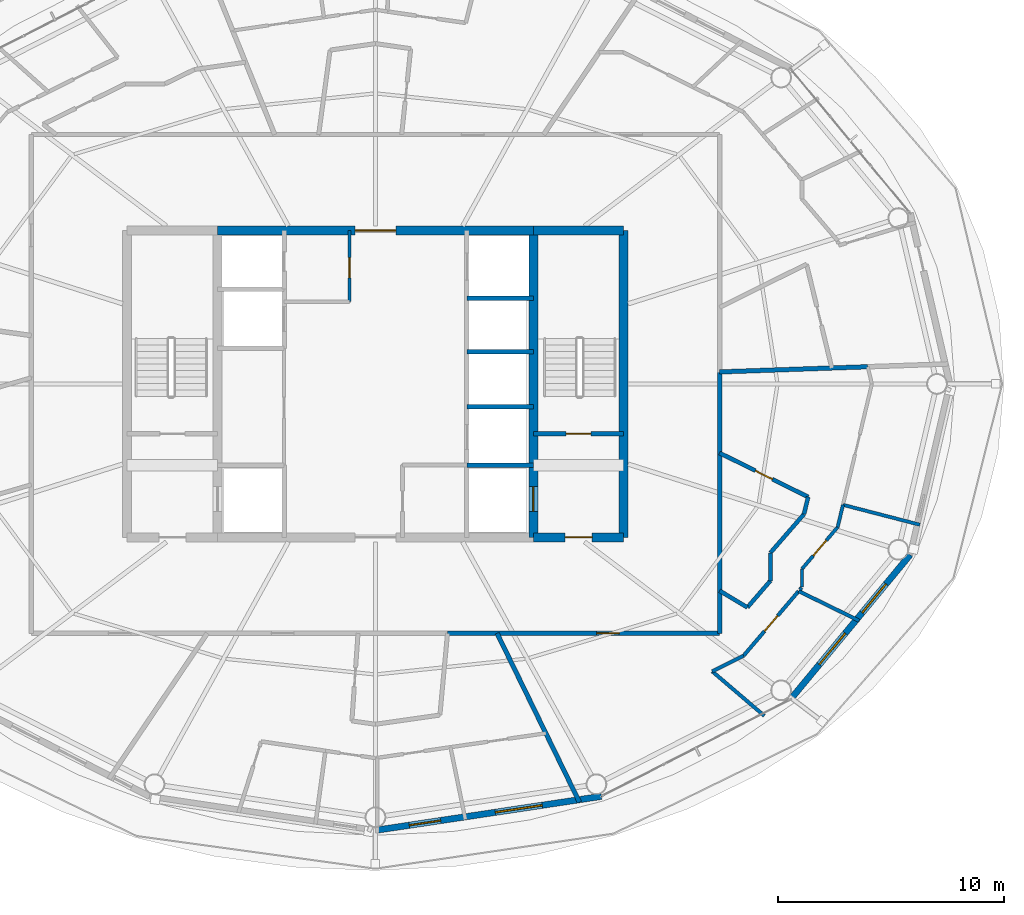
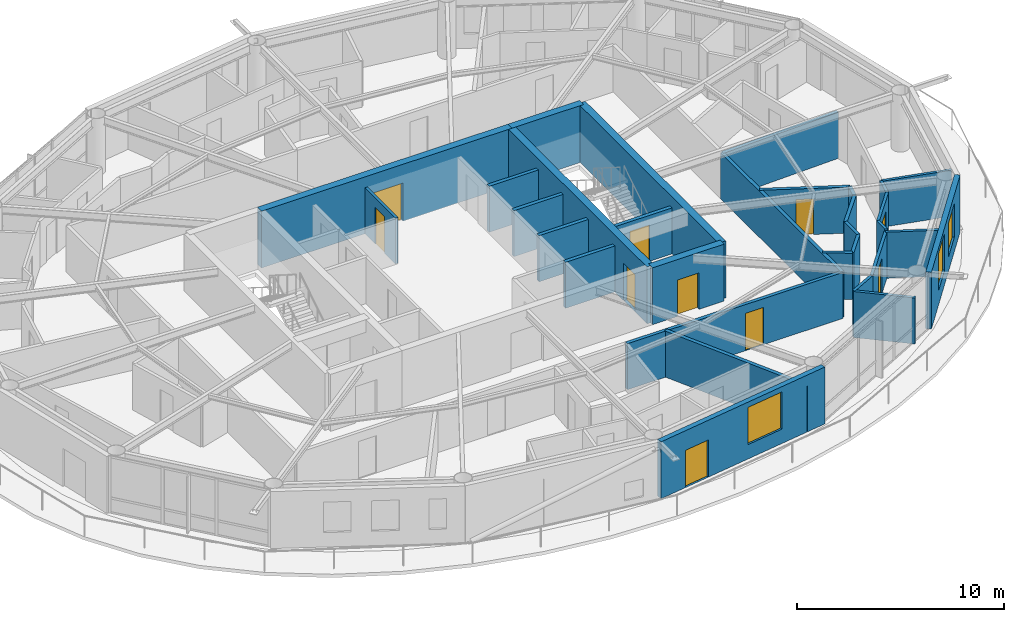
# One storey, part 17 of 23: 32 walls, 10 doors, 3 windows, 13 openings.
"""IFC4 building model written with IfcOpenShell, lengths in metres."""

from ifc_helpers import new_model, si_unit, direction, frame, frame_2d, origin, place, context, subcontext, project, spatial, rectangle, extrude, material, layer, layer_set, type_object, element, fill, save


model = new_model("IFC4")

# Units and contexts
model_context = context("Model", 3, precision=1e-05, world=origin(), true_north=direction((0.0, 1.0)))
body_context = subcontext(model_context, "Body", "Model", "MODEL_VIEW")
ifc_project = project(units=[si_unit("LENGTHUNIT", "METRE"), si_unit("AREAUNIT", "SQUARE_METRE"), si_unit("VOLUMEUNIT", "CUBIC_METRE"), si_unit("PLANEANGLEUNIT", "RADIAN"), si_unit("MASSUNIT", "GRAM", prefix="KILO")], contexts=[model_context])

# Site, building, storey
site_placement = place(None, origin())
site = spatial("IfcSite", under=ifc_project, at=site_placement, CompositionType="ELEMENT")
building_placement = place(site_placement, origin())
building = spatial("IfcBuilding", under=site, at=building_placement, Name="Sarneth Arch Tower", CompositionType="ELEMENT")
storey_placement = place(building_placement, frame((0.0, 0.0, 228.0)))
storey = spatial("IfcBuildingStorey", under=building, at=storey_placement, Name="L58", CompositionType="ELEMENT", Elevation=228.0)

# Wall, opening, door
ifc_material_1 = material(Name="Concrete C50/60", Category="concrete")
ifc_layer_1 = layer(ifc_material_1, 0.39990234375)
ifc_layer_set_1 = layer_set([ifc_layer_1], Name="Concrete C50/60")
wall_type_1 = type_object("IfcWallType", Name="WALL-CORE-400", PredefinedType="SHEAR", material=ifc_layer_set_1)
wall_1_placement = place(storey_placement, frame((55.0, 35.199951171875, 0.0), z_axis=(0.0, 0.0, 1.0), x_axis=(1.0, 0.0, 0.0)))
wall_1 = element("IfcWall", 1, at=wall_1_placement, inside=storey, type_object=wall_type_1, Name="L58 Core shear wall S-E", PredefinedType="SHEAR", context=body_context, shape_type="SweptSolid", body=[
    extrude(rectangle(XDim=4.0, YDim=0.39990234375, at=frame_2d((2.0, 0.0))), origin(), (0.0, 0.0, 1.0), 3.360107421875),
])
opening_1_placement = place(wall_1_placement, frame((1.39990234375, 0.0, 0.0)))
opening_1 = element("IfcOpeningElement", 2, at=opening_1_placement, cuts=wall_1, Name="Opening FD-02", PredefinedType="OPENING", context=body_context, shape_type="SweptSolid", body=[
    extrude(rectangle(XDim=1.199951171875, YDim=2.14990234375, at=frame_2d((0.60009765625, 1.074951171875))), frame((0.0, 0.2099609375, 0.0), z_axis=(0.0, -1.0, 0.0), x_axis=(1.0, 0.0, 0.0)), (0.0, 0.0, 1.0), 0.419921875),
])
ifc_material_2 = material(Name="Galvanised Steel S275 fire door set", Category="steel")
door_type_1 = type_object("IfcDoorType", Name="DR-FD90-1200", OperationType="SINGLE_SWING_LEFT", PredefinedType="DOOR", material=ifc_material_2)
door_1_placement = place(opening_1_placement, origin())
door_1 = element("IfcDoor", 3, at=door_1_placement, inside=storey, type_object=door_type_1, Name="L58 Firefighting lobby 2 exit door", OperationType="SINGLE_SWING_RIGHT", OverallHeight=2.14990234375, OverallWidth=1.199951171875, PredefinedType="DOOR", context=body_context, shape_type="SweptSolid", body=[
    extrude(rectangle(XDim=1.199951171875, YDim=2.14990234375, at=frame_2d((0.60009765625, 1.074951171875))), frame((0.0, 0.02490234375, 0.0), z_axis=(0.0, -1.0, 0.0), x_axis=(1.0, 0.0, 0.0)), (0.0, 0.0, 1.0), 0.050048828125),
])
fill(opening_1, door_1)

wall_2_placement = place(storey_placement, frame((41.0, 48.800048828125, 0.0), z_axis=(0.0, 0.0, 1.0), x_axis=(1.0, 0.0, 0.0)))
wall_2 = element("IfcWall", 4, at=wall_2_placement, inside=storey, type_object=wall_type_1, Name="L58 Core shear wall N-M", PredefinedType="SHEAR", context=body_context, shape_type="SweptSolid", body=[
    extrude(rectangle(XDim=14.0, YDim=0.39990234375, at=frame_2d((7.0, 0.0))), origin(), (0.0, 0.0, 1.0), 3.360107421875),
])
opening_2_placement = place(wall_2_placement, frame((6.10009765625, 0.0, 0.0)))
opening_2 = element("IfcOpeningElement", 5, at=opening_2_placement, cuts=wall_2, Name="Opening FD-01", PredefinedType="OPENING", context=body_context, shape_type="SweptSolid", body=[
    extrude(rectangle(XDim=1.800048828125, YDim=2.25, at=frame_2d((0.89990234375, 1.125))), frame((0.0, 0.2099609375, 0.0), z_axis=(0.0, -1.0, 0.0), x_axis=(1.0, 0.0, 0.0)), (0.0, 0.0, 1.0), 0.419921875),
])
ifc_material_3 = material(Name="Galvanised Steel S275 fire door set", Category="steel")
door_type_2 = type_object("IfcDoorType", Name="DR-FD90-1800", OperationType="DOUBLE_DOOR_SINGLE_SWING", PredefinedType="DOOR", material=ifc_material_3)
door_2_placement = place(opening_2_placement, origin())
door_2 = element("IfcDoor", 6, at=door_2_placement, inside=storey, type_object=door_type_2, Name="L58 Central lift lobby north door", OperationType="DOUBLE_DOOR_SINGLE_SWING", OverallHeight=2.25, OverallWidth=1.800048828125, PredefinedType="DOOR", context=body_context, shape_type="SweptSolid", body=[
    extrude(rectangle(XDim=1.800048828125, YDim=2.25, at=frame_2d((0.89990234375, 1.125))), frame((0.0, 0.02490234375, 0.0), z_axis=(0.0, -1.0, 0.0), x_axis=(1.0, 0.0, 0.0)), (0.0, 0.0, 1.0), 0.050048828125),
])
fill(opening_2, door_2)

# Walls
wall_3_placement = place(storey_placement, frame((55.0, 48.800048828125, 0.0), z_axis=(0.0, 0.0, 1.0), x_axis=(1.0, 0.0, 0.0)))
element("IfcWall", 7, at=wall_3_placement, inside=storey, type_object=wall_type_1, Name="L58 Core shear wall N-E", PredefinedType="SHEAR", context=body_context, shape_type="SweptSolid", body=[
    extrude(rectangle(XDim=4.0, YDim=0.39990234375, at=frame_2d((2.0, 0.0))), origin(), (0.0, 0.0, 1.0), 3.360107421875),
])
wall_4_placement = place(storey_placement, frame((59.0, 35.199951171875, 0.0), z_axis=(0.0, 0.0, 1.0), x_axis=(0.0, 1.0, 0.0)))
element("IfcWall", 8, at=wall_4_placement, inside=storey, type_object=wall_type_1, Name="L58 Core shear wall E", PredefinedType="SHEAR", context=body_context, shape_type="SweptSolid", body=[
    extrude(rectangle(XDim=13.60009765625, YDim=0.39990234375, at=frame_2d((6.800048828125, 0.0))), origin(), (0.0, 0.0, 1.0), 3.360107421875),
])

# Wall, opening, door
wall_5_placement = place(storey_placement, frame((55.0, 35.199951171875, 0.0), z_axis=(0.0, 0.0, 1.0), x_axis=(0.0, 1.0, 0.0)))
wall_5 = element("IfcWall", 9, at=wall_5_placement, inside=storey, type_object=wall_type_1, Name="L58 Core shear wall WEB-E", PredefinedType="SHEAR", context=body_context, shape_type="SweptSolid", body=[
    extrude(rectangle(XDim=13.60009765625, YDim=0.39990234375, at=frame_2d((6.800048828125, 0.0))), origin(), (0.0, 0.0, 1.0), 3.360107421875),
])
opening_3_placement = place(wall_5_placement, frame((1.14990234375, 0.0, 0.0)))
opening_3 = element("IfcOpeningElement", 10, at=opening_3_placement, cuts=wall_5, Name="Opening LD-1", PredefinedType="OPENING", context=body_context, shape_type="SweptSolid", body=[
    extrude(rectangle(XDim=1.10009765625, YDim=2.199951171875, at=frame_2d((0.550048828125, 1.10009765625))), frame((0.0, 0.2099609375, 0.0), z_axis=(0.0, -1.0, 0.0), x_axis=(1.0, 0.0, 0.0)), (0.0, 0.0, 1.0), 0.419921875),
])
ifc_material_4 = material(Name="Brushed Stainless Steel 304 lift landing door", Category="steel")
door_type_3 = type_object("IfcDoorType", Name="DR-LIFT-SLIDE-1100", OperationType="SLIDING_TO_LEFT", PredefinedType="DOOR", material=ifc_material_4)
door_3_placement = place(opening_3_placement, origin())
door_3 = element("IfcDoor", 11, at=door_3_placement, inside=storey, type_object=door_type_3, Name="L58 Firefighting lift landing door FL-2", OperationType="SLIDING_TO_RIGHT", OverallHeight=2.199951171875, OverallWidth=1.10009765625, PredefinedType="DOOR", context=body_context, shape_type="SweptSolid", body=[
    extrude(rectangle(XDim=1.10009765625, YDim=2.199951171875, at=frame_2d((0.550048828125, 1.10009765625))), frame((0.0, 0.02490234375, 0.0), z_axis=(0.0, -1.0, 0.0), x_axis=(1.0, 0.0, 0.0)), (0.0, 0.0, 1.0), 0.050048828125),
])
fill(opening_3, door_3)

ifc_material_5 = material(Name="Double steel-stud corridor fire wall", Category="steel")
ifc_layer_2 = layer(ifc_material_5, 0.18994140625)
ifc_layer_set_2 = layer_set([ifc_layer_2], Name="Double steel-stud corridor fire wall")
wall_type_2 = type_object("IfcWallType", Name="WALL-CORR-190", PredefinedType="PARTITIONING", material=ifc_layer_set_2)
wall_6_placement = place(storey_placement, frame((63.25, 30.949951171875, 0.0), z_axis=(0.0, 0.0, 1.0), x_axis=(-1.0, 0.0, 0.0)))
wall_6 = element("IfcWall", 12, at=wall_6_placement, inside=storey, type_object=wall_type_2, Name="L58 Interior partition W-L58-TP-018", PredefinedType="PARTITIONING", context=body_context, shape_type="SweptSolid", body=[
    extrude(rectangle(XDim=12.056396484375, YDim=0.18994140625, at=frame_2d((6.0283203125, 0.0))), origin(), (0.0, 0.0, 1.0), 2.719970703125),
])
opening_4_placement = place(wall_6_placement, frame((4.447998046875, 0.0, 0.0)))
opening_4 = element("IfcOpeningElement", 13, at=opening_4_placement, cuts=wall_6, Name="Opening FD-08", PredefinedType="OPENING", context=body_context, shape_type="SweptSolid", body=[
    extrude(rectangle(XDim=1.0, YDim=2.199951171875, at=frame_2d((0.5, 1.10009765625))), frame((0.0, 0.10498046875, 0.0), z_axis=(0.0, -1.0, 0.0), x_axis=(1.0, 0.0, 0.0)), (0.0, 0.0, 1.0), 0.2099609375),
])
ifc_material_6 = material(Name="Hardwood timber acoustic fire door", Category="wood")
door_type_4 = type_object("IfcDoorType", Name="DR-FD60-1000", OperationType="SINGLE_SWING_LEFT", PredefinedType="DOOR", material=ifc_material_6)
door_4_placement = place(opening_4_placement, origin())
door_4 = element("IfcDoor", 14, at=door_4_placement, inside=storey, type_object=door_type_4, Name="L58 Interior door DR-L58-U6-ENT", OperationType="SINGLE_SWING_LEFT", OverallHeight=2.199951171875, OverallWidth=1.0, PredefinedType="DOOR", context=body_context, shape_type="SweptSolid", body=[
    extrude(rectangle(XDim=1.0, YDim=2.199951171875, at=frame_2d((0.5, 1.10009765625))), frame((0.0, 0.02490234375, 0.0), z_axis=(0.0, -1.0, 0.0), x_axis=(1.0, 0.0, 0.0)), (0.0, 0.0, 1.0), 0.050048828125),
])
fill(opening_4, door_4)

# Wall
wall_7_placement = place(storey_placement, frame((63.25, 42.564453125, 0.0), z_axis=(0.0, 0.0, 1.0), x_axis=(0.0, -1.0, 0.0)))
element("IfcWall", 15, at=wall_7_placement, inside=storey, type_object=wall_type_2, Name="L58 Interior partition W-L58-TP-020", PredefinedType="PARTITIONING", context=body_context, shape_type="SweptSolid", body=[
    extrude(rectangle(XDim=11.614501953125, YDim=0.18994140625, at=frame_2d((5.80712890625, 0.0))), origin(), (0.0, 0.0, 1.0), 2.719970703125),
])

# Wall, openings, door, window
ifc_material_7 = material(Name="Extruded terracotta rainscreen on Concrete C40/50 backing", Category="masonry")
ifc_layer_3 = layer(ifc_material_7, 0.280029296875)
ifc_layer_set_3 = layer_set([ifc_layer_3], Name="Extruded terracotta rainscreen on Concrete C40/50 backing")
wall_type_3 = type_object("IfcWallType", Name="WALL-EXT-TERRA-280", PredefinedType="SOLIDWALL", material=ifc_layer_set_3)
wall_8_placement = place(storey_placement, frame((48.0, 22.219970703125, 0.0), z_axis=(0.0, 0.0, 1.0), x_axis=(0.988882522213, 0.148698881169, 0.0)))
wall_8 = element("IfcWall", 16, at=wall_8_placement, inside=storey, type_object=wall_type_3, Name="L58 Terracotta perimeter wall 13", PredefinedType="SOLIDWALL", context=body_context, shape_type="SweptSolid", body=[
    extrude(rectangle(XDim=10.125244140625, YDim=0.280029296875, at=frame_2d((5.0625, 0.0))), origin(), (0.0, 0.0, 1.0), 3.360107421875),
])
opening_5_placement = place(wall_8_placement, frame((1.51611328125, 0.0, 0.0)))
opening_5 = element("IfcOpeningElement", 17, at=opening_5_placement, cuts=wall_8, Name="Opening BD-2", PredefinedType="OPENING", context=body_context, shape_type="SweptSolid", body=[
    extrude(rectangle(XDim=1.39990234375, YDim=2.199951171875, at=frame_2d((0.699951171875, 1.10009765625))), frame((0.0, 0.14990234375, 0.0), z_axis=(0.0, -1.0, 0.0), x_axis=(1.0, 0.0, 0.0)), (0.0, 0.0, 1.0), 0.300048828125),
])
opening_6_placement = place(wall_8_placement, frame((5.374267578125, 0.0, 0.85009765625)))
opening_6 = element("IfcOpeningElement", 18, at=opening_6_placement, cuts=wall_8, Name="Opening W-03", PredefinedType="OPENING", context=body_context, shape_type="SweptSolid", body=[
    extrude(rectangle(XDim=2.10009765625, YDim=2.199951171875, at=frame_2d((1.050048828125, 1.10009765625))), frame((0.0, 0.14990234375, 0.0), z_axis=(0.0, -1.0, 0.0), x_axis=(1.0, 0.0, 0.0)), (0.0, 0.0, 1.0), 0.300048828125),
])
ifc_material_8 = material(Name="Thermally broken Aluminium 6063-T6 and laminated safety glass", Category="aluminium")
door_type_5 = type_object("IfcDoorType", Name="DR-BALC-GLZ-1400", OperationType="SINGLE_SWING_LEFT", PredefinedType="DOOR", material=ifc_material_8)
door_5_placement = place(opening_5_placement, origin())
door_5 = element("IfcDoor", 19, at=door_5_placement, inside=storey, type_object=door_type_5, Name="L58 Balcony glazed door 13", OperationType="SINGLE_SWING_LEFT", OverallHeight=2.199951171875, OverallWidth=1.39990234375, PredefinedType="DOOR", context=body_context, shape_type="SweptSolid", body=[
    extrude(rectangle(XDim=1.39990234375, YDim=2.199951171875, at=frame_2d((0.699951171875, 1.10009765625))), frame((0.0, 0.02490234375, 0.0), z_axis=(0.0, -1.0, 0.0), x_axis=(1.0, 0.0, 0.0)), (0.0, 0.0, 1.0), 0.050048828125),
])
fill(opening_5, door_5)
ifc_material_9 = material(Name="Thermally broken Aluminium 6063-T6 and low-e laminated IGU", Category="aluminium")
window_type_1 = type_object("IfcWindowType", Name="WIN-TWR-2100x2200", PartitioningType="DOUBLE_PANEL_VERTICAL", PredefinedType="WINDOW", material=ifc_material_9)
window_1_placement = place(opening_6_placement, origin())
window_1 = element("IfcWindow", 20, at=window_1_placement, inside=storey, type_object=window_type_1, Name="L58 Exterior window 13A", OverallHeight=2.199951171875, OverallWidth=2.10009765625, PartitioningType="SINGLE_PANEL", PredefinedType="WINDOW", context=body_context, shape_type="SweptSolid", body=[
    extrude(rectangle(XDim=2.10009765625, YDim=2.199951171875, at=frame_2d((1.050048828125, 1.10009765625))), frame((0.0, 0.030029296875, 0.0), z_axis=(0.0, -1.0, 0.0), x_axis=(1.0, 0.0, 0.0)), (0.0, 0.0, 1.0), 0.06005859375),
])
fill(opening_6, window_1)

# Wall, openings, windows
wall_9_placement = place(storey_placement, frame((66.382568359375, 28.013427734375, 0.0), z_axis=(0.0, 0.0, 1.0), x_axis=(0.63761509934, 0.770355103243, 0.0)))
wall_9 = element("IfcWall", 21, at=wall_9_placement, inside=storey, type_object=wall_type_3, Name="L58 Terracotta perimeter wall 15", PredefinedType="SOLIDWALL", context=body_context, shape_type="SweptSolid", body=[
    extrude(rectangle(XDim=8.329833984375, YDim=0.280029296875, at=frame_2d((4.1650390625, 0.0))), origin(), (0.0, 0.0, 1.0), 3.360107421875),
])
opening_7_placement = place(wall_9_placement, frame((2.0205078125, 0.0, 0.85009765625)))
opening_7 = element("IfcOpeningElement", 22, at=opening_7_placement, cuts=wall_9, Name="Opening W-04", PredefinedType="OPENING", context=body_context, shape_type="SweptSolid", body=[
    extrude(rectangle(XDim=1.800048828125, YDim=2.199951171875, at=frame_2d((0.89990234375, 1.10009765625))), frame((0.0, 0.14990234375, 0.0), z_axis=(0.0, -1.0, 0.0), x_axis=(1.0, 0.0, 0.0)), (0.0, 0.0, 1.0), 0.300048828125),
])
opening_8_placement = place(wall_9_placement, frame((5.00048828125, 0.0, 0.85009765625)))
opening_8 = element("IfcOpeningElement", 23, at=opening_8_placement, cuts=wall_9, Name="Opening W-05", PredefinedType="OPENING", context=body_context, shape_type="SweptSolid", body=[
    extrude(rectangle(XDim=1.64990234375, YDim=2.0, at=frame_2d((0.824951171875, 1.0))), frame((0.0, 0.14990234375, 0.0), z_axis=(0.0, -1.0, 0.0), x_axis=(1.0, 0.0, 0.0)), (0.0, 0.0, 1.0), 0.300048828125),
])
ifc_material_10 = material(Name="Thermally broken Aluminium 6063-T6 and low-e laminated IGU", Category="aluminium")
window_type_2 = type_object("IfcWindowType", Name="WIN-TWR-1650x2000", PartitioningType="DOUBLE_PANEL_VERTICAL", PredefinedType="WINDOW", material=ifc_material_10)
window_2_placement = place(opening_8_placement, origin())
window_2 = element("IfcWindow", 24, at=window_2_placement, inside=storey, type_object=window_type_2, Name="L58 Exterior window 15B", OverallHeight=2.0, OverallWidth=1.64990234375, PartitioningType="SINGLE_PANEL", PredefinedType="WINDOW", context=body_context, shape_type="SweptSolid", body=[
    extrude(rectangle(XDim=1.64990234375, YDim=2.0, at=frame_2d((0.824951171875, 1.0))), frame((0.0, 0.030029296875, 0.0), z_axis=(0.0, -1.0, 0.0), x_axis=(1.0, 0.0, 0.0)), (0.0, 0.0, 1.0), 0.06005859375),
])
fill(opening_8, window_2)
ifc_material_11 = material(Name="Thermally broken Aluminium 6063-T6 and low-e laminated IGU", Category="aluminium")
window_type_3 = type_object("IfcWindowType", Name="WIN-TWR-1800x2200", PartitioningType="DOUBLE_PANEL_VERTICAL", PredefinedType="WINDOW", material=ifc_material_11)
window_3_placement = place(opening_7_placement, origin())
window_3 = element("IfcWindow", 25, at=window_3_placement, inside=storey, type_object=window_type_3, Name="L58 Exterior window 15A", OverallHeight=2.199951171875, OverallWidth=1.800048828125, PartitioningType="SINGLE_PANEL", PredefinedType="WINDOW", context=body_context, shape_type="SweptSolid", body=[
    extrude(rectangle(XDim=1.800048828125, YDim=2.199951171875, at=frame_2d((0.89990234375, 1.10009765625))), frame((0.0, 0.030029296875, 0.0), z_axis=(0.0, -1.0, 0.0), x_axis=(1.0, 0.0, 0.0)), (0.0, 0.0, 1.0), 0.06005859375),
])
fill(opening_7, window_3)

# Wall, opening, door
ifc_material_12 = material(Name="Acoustic gypsum stud partition", Category="gypsum")
ifc_layer_4 = layer(ifc_material_12, 0.14990234375)
ifc_layer_set_4 = layer_set([ifc_layer_4], Name="Acoustic gypsum stud partition")
wall_type_4 = type_object("IfcWallType", Name="WALL-PART-150", PredefinedType="PARTITIONING", material=ifc_layer_set_4)
wall_10_placement = place(storey_placement, frame((46.85009765625, 45.64990234375, 0.0), z_axis=(0.0, 0.0, 1.0), x_axis=(0.0, 1.0, 0.0)))
wall_10 = element("IfcWall", 26, at=wall_10_placement, inside=storey, type_object=wall_type_4, Name="L58 Interior partition W-L58-CSUP1-E", PredefinedType="PARTITIONING", context=body_context, shape_type="SweptSolid", body=[
    extrude(rectangle(XDim=3.150146484375, YDim=0.14990234375, at=frame_2d((1.5751953125, 0.0))), origin(), (0.0, 0.0, 1.0), 2.719970703125),
])
opening_9_placement = place(wall_10_placement, frame((1.050048828125, 0.0, 0.0)))
opening_9 = element("IfcOpeningElement", 27, at=opening_9_placement, cuts=wall_10, Name="Opening FD-10", PredefinedType="OPENING", context=body_context, shape_type="SweptSolid", body=[
    extrude(rectangle(XDim=0.89990234375, YDim=2.14990234375, at=frame_2d((0.449951171875, 1.074951171875))), frame((0.0, 0.0849609375, 0.0), z_axis=(0.0, -1.0, 0.0), x_axis=(1.0, 0.0, 0.0)), (0.0, 0.0, 1.0), 0.169921875),
])
ifc_material_13 = material(Name="Galvanised Steel S275 riser/service fire door", Category="steel")
door_type_6 = type_object("IfcDoorType", Name="DR-FD60-900", OperationType="SINGLE_SWING_LEFT", PredefinedType="DOOR", material=ifc_material_13)
door_6_placement = place(opening_9_placement, origin())
door_6 = element("IfcDoor", 28, at=door_6_placement, inside=storey, type_object=door_type_6, Name="L58 Interior door DR-L58-CSUP1", OperationType="SINGLE_SWING_LEFT", OverallHeight=2.14990234375, OverallWidth=0.89990234375, PredefinedType="DOOR", context=body_context, shape_type="SweptSolid", body=[
    extrude(rectangle(XDim=0.89990234375, YDim=2.14990234375, at=frame_2d((0.449951171875, 1.074951171875))), frame((0.0, 0.02490234375, 0.0), z_axis=(0.0, -1.0, 0.0), x_axis=(1.0, 0.0, 0.0)), (0.0, 0.0, 1.0), 0.050048828125),
])
fill(opening_9, door_6)

# Wall
wall_11_placement = place(storey_placement, frame((68.716796875, 36.642333984375, 0.0), z_axis=(0.0, 0.0, 1.0), x_axis=(0.968152708391, -0.250360406683, 0.0)))
element("IfcWall", 29, at=wall_11_placement, inside=storey, type_object=wall_type_4, Name="L58 Interior partition W-L58-TP-110", PredefinedType="PARTITIONING", context=body_context, shape_type="SweptSolid", body=[
    extrude(rectangle(XDim=3.520263671875, YDim=0.14990234375, at=frame_2d((1.76025390625, 0.0))), origin(), (0.0, 0.0, 1.0), 2.719970703125),
])

# Wall, opening, door
wall_12_placement = place(storey_placement, frame((66.89990234375, 33.802978515625, 0.0), z_axis=(0.0, 0.0, 1.0), x_axis=(0.649270866973, 0.760557257082, 0.0)))
wall_12 = element("IfcWall", 30, at=wall_12_placement, inside=storey, type_object=wall_type_4, Name="L58 Interior partition W-L58-TP-105", PredefinedType="PARTITIONING", context=body_context, shape_type="SweptSolid", body=[
    extrude(rectangle(XDim=2.43505859375, YDim=0.14990234375, at=frame_2d((1.217529296875, 0.0))), origin(), (0.0, 0.0, 1.0), 2.719970703125),
])
opening_10_placement = place(wall_12_placement, frame((0.767578125, 0.0, 0.0)))
opening_10 = element("IfcOpeningElement", 31, at=opening_10_placement, cuts=wall_12, Name="Opening ID-01", PredefinedType="OPENING", context=body_context, shape_type="SweptSolid", body=[
    extrude(rectangle(XDim=0.89990234375, YDim=2.10009765625, at=frame_2d((0.449951171875, 1.050048828125))), frame((0.0, 0.0849609375, 0.0), z_axis=(0.0, -1.0, 0.0), x_axis=(1.0, 0.0, 0.0)), (0.0, 0.0, 1.0), 0.169921875),
])
ifc_material_14 = material(Name="Engineered hardwood flush door", Category="wood")
door_type_7 = type_object("IfcDoorType", Name="DR-INT-900", OperationType="SINGLE_SWING_LEFT", PredefinedType="DOOR", material=ifc_material_14)
door_7_placement = place(opening_10_placement, origin())
door_7 = element("IfcDoor", 32, at=door_7_placement, inside=storey, type_object=door_type_7, Name="L58 Interior door DR-L58-U6-BED1", OperationType="SINGLE_SWING_LEFT", OverallHeight=2.10009765625, OverallWidth=0.89990234375, PredefinedType="DOOR", context=body_context, shape_type="SweptSolid", body=[
    extrude(rectangle(XDim=0.89990234375, YDim=2.10009765625, at=frame_2d((0.449951171875, 1.050048828125))), frame((0.0, 0.02490234375, 0.0), z_axis=(0.0, -1.0, 0.0), x_axis=(1.0, 0.0, 0.0)), (0.0, 0.0, 1.0), 0.050048828125),
])
fill(opening_10, door_7)

# Walls
wall_13_placement = place(storey_placement, frame((68.48095703125, 35.655029296875, 0.0), z_axis=(0.0, 0.0, 1.0), x_axis=(0.232335810995, 0.972635631123, 0.0)))
element("IfcWall", 33, at=wall_13_placement, inside=storey, type_object=wall_type_4, Name="L58 Interior partition W-L58-TP-106", PredefinedType="PARTITIONING", context=body_context, shape_type="SweptSolid", body=[
    extrude(rectangle(XDim=1.01513671875, YDim=0.14990234375, at=frame_2d((0.507568359375, 0.0))), origin(), (0.0, 0.0, 1.0), 2.719970703125),
])
wall_14_placement = place(storey_placement, frame((66.89990234375, 32.992919921875, 0.0), z_axis=(0.0, 0.0, 1.0), x_axis=(0.0, 1.0, 0.0)))
element("IfcWall", 34, at=wall_14_placement, inside=storey, type_object=wall_type_4, Name="L58 Interior partition W-L58-TP-104", PredefinedType="PARTITIONING", context=body_context, shape_type="SweptSolid", body=[
    extrude(rectangle(XDim=0.81005859375, YDim=0.14990234375, at=frame_2d((0.405029296875, 0.0))), origin(), (0.0, 0.0, 1.0), 2.719970703125),
])
wall_15_placement = place(storey_placement, frame((66.80908203125, 32.886474609375, 0.0), z_axis=(0.0, 0.0, 1.0), x_axis=(0.649824872213, 0.760083966054, 0.0)))
element("IfcWall", 35, at=wall_15_placement, inside=storey, type_object=wall_type_4, Name="L58 Interior partition W-L58-TP-103", PredefinedType="PARTITIONING", context=body_context, shape_type="SweptSolid", body=[
    extrude(rectangle(XDim=0.10400390625, YDim=0.14990234375, at=frame_2d((0.052001953125, 0.0))), origin(), (0.0, 0.0, 1.0), 2.719970703125),
])

# Wall, opening, door
ifc_material_15 = material(Name="Kitchen wet service chase wall", Category="gypsum")
ifc_layer_5 = layer(ifc_material_15, 0.159912109375)
ifc_layer_set_5 = layer_set([ifc_layer_5], Name="Kitchen wet service chase wall")
wall_type_5 = type_object("IfcWallType", Name="WALL-PLUMB-160", PredefinedType="PLUMBINGWALL", material=ifc_layer_set_5)
wall_16_placement = place(storey_placement, frame((64.31103515625, 29.9580078125, 0.0), z_axis=(0.0, 0.0, 1.0), x_axis=(0.64897202373, 0.760812271468, 0.0)))
wall_16 = element("IfcWall", 36, at=wall_16_placement, inside=storey, type_object=wall_type_5, Name="L58 Interior partition W-L58-TP-096", PredefinedType="PLUMBINGWALL", context=body_context, shape_type="SweptSolid", body=[
    extrude(rectangle(XDim=3.76123046875, YDim=0.159912109375, at=frame_2d((1.880615234375, 0.0))), origin(), (0.0, 0.0, 1.0), 2.719970703125),
])
opening_11_placement = place(wall_16_placement, frame((1.4306640625, 0.0, 0.0)))
opening_11 = element("IfcOpeningElement", 37, at=opening_11_placement, cuts=wall_16, Name="Opening ID-01", PredefinedType="OPENING", context=body_context, shape_type="SweptSolid", body=[
    extrude(rectangle(XDim=0.89990234375, YDim=2.10009765625, at=frame_2d((0.449951171875, 1.050048828125))), frame((0.0, 0.08984375, 0.0), z_axis=(0.0, -1.0, 0.0), x_axis=(1.0, 0.0, 0.0)), (0.0, 0.0, 1.0), 0.179931640625),
])
door_8_placement = place(opening_11_placement, origin())
door_8 = element("IfcDoor", 38, at=door_8_placement, inside=storey, type_object=door_type_7, Name="L58 Interior door DR-L58-U6-KIT", OperationType="SINGLE_SWING_RIGHT", OverallHeight=2.10009765625, OverallWidth=0.89990234375, PredefinedType="DOOR", context=body_context, shape_type="SweptSolid", body=[
    extrude(rectangle(XDim=0.89990234375, YDim=2.10009765625, at=frame_2d((0.449951171875, 1.050048828125))), frame((0.0, 0.02490234375, 0.0), z_axis=(0.0, -1.0, 0.0), x_axis=(1.0, 0.0, 0.0)), (0.0, 0.0, 1.0), 0.050048828125),
])
fill(opening_11, door_8)

# Walls
wall_17_placement = place(storey_placement, frame((65.227783203125, 27.297119140625, 0.0), z_axis=(0.0, 0.0, 1.0), x_axis=(-0.760635251202, 0.649179493382, 0.0)))
element("IfcWall", 39, at=wall_17_placement, inside=storey, type_object=wall_type_5, Name="L58 Interior partition W-L58-TP-094", PredefinedType="PLUMBINGWALL", context=body_context, shape_type="SweptSolid", body=[
    extrude(rectangle(XDim=3.03369140625, YDim=0.159912109375, at=frame_2d((1.516845703125, 0.0))), origin(), (0.0, 0.0, 1.0), 2.719970703125),
])
wall_18_placement = place(storey_placement, frame((69.427734375, 31.509521484375, 0.0), z_axis=(0.0, 0.0, 1.0), x_axis=(-0.898132724045, 0.43972447055, 0.0)))
element("IfcWall", 40, at=wall_18_placement, inside=storey, type_object=wall_type_5, Name="L58 Interior partition W-L58-TP-109", PredefinedType="PLUMBINGWALL", context=body_context, shape_type="SweptSolid", body=[
    extrude(rectangle(XDim=2.979248046875, YDim=0.159912109375, at=frame_2d((1.48974609375, 0.0))), origin(), (0.0, 0.0, 1.0), 2.719970703125),
])
wall_19_placement = place(storey_placement, frame((62.920166015625, 29.2666015625, 0.0), z_axis=(0.0, 0.0, 1.0), x_axis=(0.895462181503, 0.445137598388, 0.0)))
element("IfcWall", 41, at=wall_19_placement, inside=storey, type_object=wall_type_5, Name="L58 Interior partition W-L58-TP-095", PredefinedType="PLUMBINGWALL", context=body_context, shape_type="SweptSolid", body=[
    extrude(rectangle(XDim=1.55322265625, YDim=0.159912109375, at=frame_2d((0.776611328125, 0.0))), origin(), (0.0, 0.0, 1.0), 2.719970703125),
])

# Wall, opening, door
ifc_material_16 = material(Name="Moisture-resistant plumbing chase wall", Category="gypsum")
ifc_layer_6 = layer(ifc_material_16, 0.179931640625)
ifc_layer_set_6 = layer_set([ifc_layer_6], Name="Moisture-resistant plumbing chase wall")
wall_type_6 = type_object("IfcWallType", Name="WALL-PLUMB-180", PredefinedType="PLUMBINGWALL", material=ifc_layer_set_6)
wall_20_placement = place(storey_placement, frame((63.25, 38.941162109375, 0.0), z_axis=(0.0, 0.0, 1.0), x_axis=(0.89568320669, -0.444692695301, 0.0)))
wall_20 = element("IfcWall", 42, at=wall_20_placement, inside=storey, type_object=wall_type_6, Name="L58 Interior partition W-L58-TP-097", PredefinedType="PLUMBINGWALL", context=body_context, shape_type="SweptSolid", body=[
    extrude(rectangle(XDim=4.380615234375, YDim=0.179931640625, at=frame_2d((2.1904296875, 0.0))), origin(), (0.0, 0.0, 1.0), 2.719970703125),
])
opening_12_placement = place(wall_20_placement, frame((1.765380859375, 0.0, 0.0)))
opening_12 = element("IfcOpeningElement", 43, at=opening_12_placement, cuts=wall_20, Name="Opening ID-02", PredefinedType="OPENING", context=body_context, shape_type="SweptSolid", body=[
    extrude(rectangle(XDim=0.85009765625, YDim=2.10009765625, at=frame_2d((0.425048828125, 1.050048828125))), frame((0.0, 0.099853515625, 0.0), z_axis=(0.0, -1.0, 0.0), x_axis=(1.0, 0.0, 0.0)), (0.0, 0.0, 1.0), 0.199951171875),
])
ifc_material_17 = material(Name="Moisture-resistant bathroom timber door", Category="wood")
door_type_8 = type_object("IfcDoorType", Name="DR-INT-850", OperationType="SINGLE_SWING_RIGHT", PredefinedType="DOOR", material=ifc_material_17)
door_9_placement = place(opening_12_placement, origin())
door_9 = element("IfcDoor", 44, at=door_9_placement, inside=storey, type_object=door_type_8, Name="L58 Interior door DR-L58-U6-BATH", OperationType="SINGLE_SWING_LEFT", OverallHeight=2.10009765625, OverallWidth=0.85009765625, PredefinedType="DOOR", context=body_context, shape_type="SweptSolid", body=[
    extrude(rectangle(XDim=0.85009765625, YDim=2.10009765625, at=frame_2d((0.425048828125, 1.050048828125))), frame((0.0, 0.02490234375, 0.0), z_axis=(0.0, -1.0, 0.0), x_axis=(1.0, 0.0, 0.0)), (0.0, 0.0, 1.0), 0.050048828125),
])
fill(opening_12, door_9)

# Walls
wall_21_placement = place(storey_placement, frame((66.987548828125, 36.22900390625, 0.0), z_axis=(0.0, 0.0, 1.0), x_axis=(-0.656389391797, -0.754422273224, 0.0)))
element("IfcWall", 45, at=wall_21_placement, inside=storey, type_object=wall_type_6, Name="L58 Interior partition W-L58-TP-099", PredefinedType="PLUMBINGWALL", context=body_context, shape_type="SweptSolid", body=[
    extrude(rectangle(XDim=2.266357421875, YDim=0.179931640625, at=frame_2d((1.13330078125, 0.0))), origin(), (0.0, 0.0, 1.0), 2.719970703125),
])
wall_22_placement = place(storey_placement, frame((65.5, 33.27880859375, 0.0), z_axis=(0.0, 0.0, 1.0), x_axis=(-0.653929368036, -0.756555603786, 0.0)))
element("IfcWall", 46, at=wall_22_placement, inside=storey, type_object=wall_type_6, Name="L58 Interior partition W-L58-TP-101", PredefinedType="PLUMBINGWALL", context=body_context, shape_type="SweptSolid", body=[
    extrude(rectangle(XDim=1.560546875, YDim=0.179931640625, at=frame_2d((0.7802734375, 0.0))), origin(), (0.0, 0.0, 1.0), 2.719970703125),
])
wall_23_placement = place(storey_placement, frame((64.4794921875, 32.09814453125, 0.0), z_axis=(0.0, 0.0, 1.0), x_axis=(-0.857162347113, 0.515046318976, 0.0)))
element("IfcWall", 47, at=wall_23_placement, inside=storey, type_object=wall_type_6, Name="L58 Interior partition W-L58-TP-102", PredefinedType="PLUMBINGWALL", context=body_context, shape_type="SweptSolid", body=[
    extrude(rectangle(XDim=1.434326171875, YDim=0.179931640625, at=frame_2d((0.71728515625, 0.0))), origin(), (0.0, 0.0, 1.0), 2.719970703125),
])
wall_24_placement = place(storey_placement, frame((65.5, 34.519287109375, 0.0), z_axis=(0.0, 0.0, 1.0), x_axis=(0.0, -1.0, 0.0)))
element("IfcWall", 48, at=wall_24_placement, inside=storey, type_object=wall_type_6, Name="L58 Interior partition W-L58-TP-100", PredefinedType="PLUMBINGWALL", context=body_context, shape_type="SweptSolid", body=[
    extrude(rectangle(XDim=1.240478515625, YDim=0.179931640625, at=frame_2d((0.6201171875, 0.0))), origin(), (0.0, 0.0, 1.0), 2.719970703125),
])
wall_25_placement = place(storey_placement, frame((67.173583984375, 36.9931640625, 0.0), z_axis=(0.0, 0.0, 1.0), x_axis=(-0.236541681433, -0.971621342368, 0.0)))
element("IfcWall", 49, at=wall_25_placement, inside=storey, type_object=wall_type_6, Name="L58 Interior partition W-L58-TP-098", PredefinedType="PLUMBINGWALL", context=body_context, shape_type="SweptSolid", body=[
    extrude(rectangle(XDim=0.786376953125, YDim=0.179931640625, at=frame_2d((0.39306640625, 0.0))), origin(), (0.0, 0.0, 1.0), 2.719970703125),
])

# Wall, opening, door
ifc_material_18 = material(Name="Aerated concrete blockwork C25/30", Category="masonry")
ifc_layer_7 = layer(ifc_material_18, 0.199951171875)
ifc_layer_set_7 = layer_set([ifc_layer_7], Name="Aerated concrete blockwork C25/30")
wall_type_7 = type_object("IfcWallType", Name="WALL-SHAFT-200", PredefinedType="SOLIDWALL", material=ifc_layer_set_7)
wall_26_placement = place(storey_placement, frame((55.0, 39.800048828125, 0.0), z_axis=(0.0, 0.0, 1.0), x_axis=(1.0, 0.0, 0.0)))
wall_26 = element("IfcWall", 50, at=wall_26_placement, inside=storey, type_object=wall_type_7, Name="L58 Interior partition W-L58-ST2-S", PredefinedType="SOLIDWALL", context=body_context, shape_type="SweptSolid", body=[
    extrude(rectangle(XDim=4.0, YDim=0.199951171875, at=frame_2d((2.0, 0.0))), origin(), (0.0, 0.0, 1.0), 2.719970703125),
])
opening_13_placement = place(wall_26_placement, frame((1.449951171875, 0.0, 0.0)))
opening_13 = element("IfcOpeningElement", 51, at=opening_13_placement, cuts=wall_26, Name="Opening FD-03", PredefinedType="OPENING", context=body_context, shape_type="SweptSolid", body=[
    extrude(rectangle(XDim=1.10009765625, YDim=2.14990234375, at=frame_2d((0.550048828125, 1.074951171875))), frame((0.0, 0.10986328125, 0.0), z_axis=(0.0, -1.0, 0.0), x_axis=(1.0, 0.0, 0.0)), (0.0, 0.0, 1.0), 0.219970703125),
])
ifc_material_19 = material(Name="Galvanised Steel S275 fire door set", Category="steel")
door_type_9 = type_object("IfcDoorType", Name="DR-FD90-1100", OperationType="SINGLE_SWING_LEFT", PredefinedType="DOOR", material=ifc_material_19)
door_10_placement = place(opening_13_placement, origin())
door_10 = element("IfcDoor", 52, at=door_10_placement, inside=storey, type_object=door_type_9, Name="L58 Interior door DR-L58-ST2", OperationType="SINGLE_SWING_RIGHT", OverallHeight=2.14990234375, OverallWidth=1.10009765625, PredefinedType="DOOR", context=body_context, shape_type="SweptSolid", body=[
    extrude(rectangle(XDim=1.10009765625, YDim=2.14990234375, at=frame_2d((0.550048828125, 1.074951171875))), frame((0.0, 0.02490234375, 0.0), z_axis=(0.0, -1.0, 0.0), x_axis=(1.0, 0.0, 0.0)), (0.0, 0.0, 1.0), 0.050048828125),
])
fill(opening_13, door_10)

# Walls
for number, where, z_axis, x_axis, name in (
    (53, (52.050048828125, 38.39990234375, 0.0), (0.0, 0.0, 1.0), (1.0, 0.0, 0.0), "L58 Interior partition W-L58-FL2-N"),
    (54, (52.050048828125, 40.97998046875, 0.0), (0.0, 0.0, 1.0), (1.0, 0.0, 0.0), "L58 Interior partition W-L58-EB-DIV-4098"),
    (55, (52.050048828125, 43.419921875, 0.0), (0.0, 0.0, 1.0), (1.0, 0.0, 0.0), "L58 Interior partition W-L58-EB-DIV-4342"),
    (56, (52.050048828125, 45.800048828125, 0.0), (0.0, 0.0, 1.0), (1.0, 0.0, 0.0), "L58 Interior partition W-L58-EB-DIV-4580"),
):
    element("IfcWall", number, at=place(storey_placement, frame(where, z_axis=z_axis, x_axis=x_axis)), inside=storey, type_object=wall_type_7, Name=name, PredefinedType="SOLIDWALL", context=body_context, shape_type="SweptSolid", body=[
        extrude(rectangle(XDim=2.949951171875, YDim=0.199951171875, at=frame_2d((1.47509765625, 0.0))), origin(), (0.0, 0.0, 1.0), 2.719970703125),
    ])
ifc_material_20 = material(Name="Double steel-stud acoustic drywall", Category="steel")
ifc_layer_8 = layer(ifc_material_20, 0.199951171875)
ifc_layer_set_8 = layer_set([ifc_layer_8], Name="Double steel-stud acoustic drywall")
wall_type_8 = type_object("IfcWallType", Name="WALL-UNIT-200", PredefinedType="PARTITIONING", material=ifc_layer_set_8)
wall_27_placement = place(storey_placement, frame((69.814453125, 42.76171875, 0.0), z_axis=(0.0, 0.0, 1.0), x_axis=(-0.999390761745, -0.034901365861, 0.0)))
element("IfcWall", 57, at=wall_27_placement, inside=storey, type_object=wall_type_8, Name="L58 Interior partition W-L58-TP-037", PredefinedType="PARTITIONING", context=body_context, shape_type="SweptSolid", body=[
    extrude(rectangle(XDim=6.568359375, YDim=0.199951171875, at=frame_2d((3.2841796875, 0.0))), origin(), (0.0, 0.0, 1.0), 2.719970703125),
])
wall_28_placement = place(storey_placement, frame((53.389404296875, 30.949951171875, 0.0), z_axis=(0.0, 0.0, 1.0), x_axis=(0.438386671508, -0.898786474222, 0.0)))
element("IfcWall", 58, at=wall_28_placement, inside=storey, type_object=wall_type_8, Name="L58 Interior partition W-L58-TP-089", PredefinedType="PARTITIONING", context=body_context, shape_type="SweptSolid", body=[
    extrude(rectangle(XDim=8.3291015625, YDim=0.199951171875, at=frame_2d((4.16455078125, 0.0))), origin(), (0.0, 0.0, 1.0), 2.719970703125),
])

save(model, "model.ifc")
